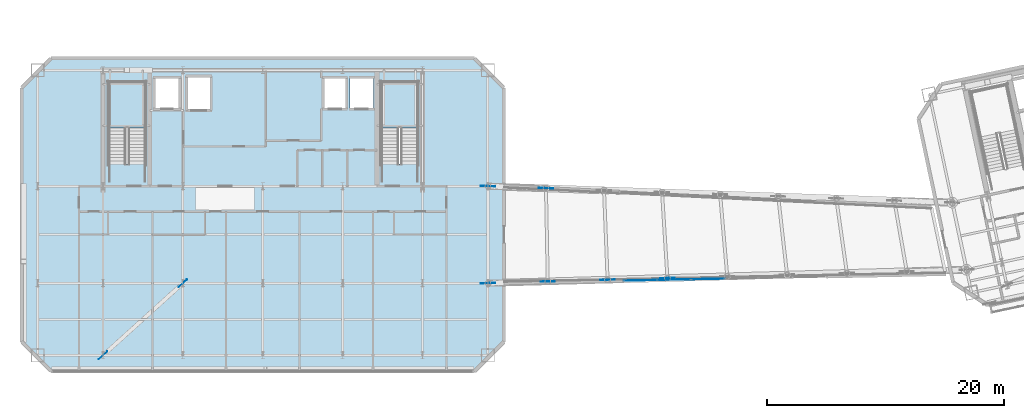
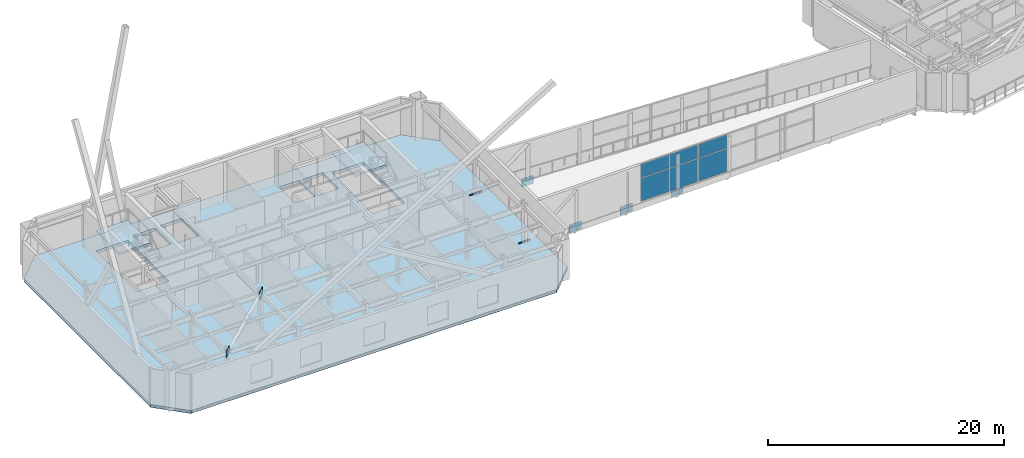
# One storey, part 13 of 23: 14 plates, 3 slabs, 4 elements without a shape of their own.
"""IFC4 building model written with IfcOpenShell, lengths in metres."""

from ifc_helpers import new_model, si_unit, direction, frame, origin, origin_2d, place, context, subcontext, project, spatial, polyline, rectangle, outline, extrude, material, layer, layer_set, type_object, element, aggregate, save


model = new_model("IFC4")

# Units and contexts
model_context = context("Model", 3, precision=1e-05, world=origin(), true_north=direction((0.0, 1.0)))
body_context = subcontext(model_context, "Body", "Model", "MODEL_VIEW")
ifc_project = project(units=[si_unit("LENGTHUNIT", "METRE"), si_unit("AREAUNIT", "SQUARE_METRE"), si_unit("VOLUMEUNIT", "CUBIC_METRE"), si_unit("PLANEANGLEUNIT", "RADIAN"), si_unit("MASSUNIT", "GRAM", prefix="KILO")], contexts=[model_context])

# Site, building, storey
site_placement = place(None, origin())
site = spatial("IfcSite", under=ifc_project, at=site_placement, CompositionType="ELEMENT")
building_placement = place(site_placement, origin())
building = spatial("IfcBuilding", under=site, at=building_placement, Name="Haevon Station Towers", CompositionType="ELEMENT")
storey_placement = place(building_placement, frame((0.0, 0.0, 197.10009765625)))
storey = spatial("IfcBuildingStorey", under=building, at=storey_placement, Name="L54", CompositionType="ELEMENT", Elevation=197.10009765625)

# Curtain wall, plates
ifc_material_1 = material(Name="Anodised aluminium and Low-E double glazing", Category="aluminium")
ifc_layer_1 = layer(ifc_material_1, 0.179931640625)
ifc_layer_set_1 = layer_set([ifc_layer_1], Name="Anodised aluminium and Low-E double glazing")
curtain_wall_type = type_object("IfcCurtainWallType", Name="CW-SYS6", PredefinedType="NOTDEFINED", material=ifc_layer_set_1)
curtain_wall_1_placement = place(storey_placement, origin())
curtain_wall_1 = element("IfcCurtainWall", 1, at=curtain_wall_1_placement, inside=storey, type_object=curtain_wall_type, Name="L54 Curtain Wall CW-SKP-L54-S1", PredefinedType="NOTDEFINED")
ifc_material_2 = material(Name="Laminated acoustic double glazing", Category="glass")
ifc_layer_2 = layer(ifc_material_2, 0.031982421875)
ifc_layer_set_2 = layer_set([ifc_layer_2], Name="Laminated acoustic double glazing")
plate_type_1 = type_object("IfcPlateType", Name="CWP-GLZ32", PredefinedType="CURTAIN_PANEL", material=ifc_layer_set_2)
plate_1_placement = place(storey_placement, frame((69.406494140625, 30.23486328125, 0.06494140625), z_axis=(0.0, 0.0, 1.0), x_axis=(0.99979243858, 0.020373506303, 0.0)))
plate_1 = element("IfcPlate", 2, at=plate_1_placement, type_object=plate_type_1, Name="CW-SYS6 panel 1.1", PredefinedType="CURTAIN_PANEL", context=body_context, shape_type="SweptSolid", body=[
    extrude(rectangle(XDim=2.77294921875, YDim=0.031982421875, at=origin_2d()), origin(), (0.0, 0.0, 1.0), 2.3515625),
])
plate_2_placement = place(storey_placement, frame((69.406494140625, 30.23486328125, 2.4814453125), z_axis=(0.0, 0.0, 1.0), x_axis=(0.99979243858, 0.020373506303, 0.0)))
plate_2 = element("IfcPlate", 3, at=plate_2_placement, type_object=plate_type_1, Name="CW-SYS6 panel 1.2", PredefinedType="CURTAIN_PANEL", context=body_context, shape_type="SweptSolid", body=[
    extrude(rectangle(XDim=2.77294921875, YDim=0.031982421875, at=origin_2d()), origin(), (0.0, 0.0, 1.0), 1.403564453125),
])
plate_3_placement = place(storey_placement, frame((72.23876953125, 30.29248046875, 0.06494140625), z_axis=(0.0, 0.0, 1.0), x_axis=(0.99979243858, 0.020373506303, 0.0)))
plate_3 = element("IfcPlate", 4, at=plate_3_placement, type_object=plate_type_1, Name="CW-SYS6 panel 2.1", PredefinedType="CURTAIN_PANEL", context=body_context, shape_type="SweptSolid", body=[
    extrude(rectangle(XDim=2.77294921875, YDim=0.031982421875, at=origin_2d()), origin(), (0.0, 0.0, 1.0), 2.3515625),
])
plate_4_placement = place(storey_placement, frame((72.23876953125, 30.29248046875, 2.4814453125), z_axis=(0.0, 0.0, 1.0), x_axis=(0.99979243858, 0.020373506303, 0.0)))
plate_4 = element("IfcPlate", 5, at=plate_4_placement, type_object=plate_type_1, Name="CW-SYS6 panel 2.2", PredefinedType="CURTAIN_PANEL", context=body_context, shape_type="SweptSolid", body=[
    extrude(rectangle(XDim=2.77294921875, YDim=0.031982421875, at=origin_2d()), origin(), (0.0, 0.0, 1.0), 1.403564453125),
])
aggregate(curtain_wall_1, [plate_1, plate_2, plate_3, plate_4])

curtain_wall_2_placement = place(storey_placement, origin())
curtain_wall_2 = element("IfcCurtainWall", 6, at=curtain_wall_2_placement, inside=storey, type_object=curtain_wall_type, Name="L54 Curtain Wall CW-SKP-L54-S2", PredefinedType="NOTDEFINED")
plate_5_placement = place(storey_placement, frame((75.130859375, 30.3515625, 0.06494140625), z_axis=(0.0, 0.0, 1.0), x_axis=(0.999792442137, 0.020373331736, 0.0)))
plate_5 = element("IfcPlate", 7, at=plate_5_placement, type_object=plate_type_1, Name="CW-SYS6 panel 1.1", PredefinedType="CURTAIN_PANEL", context=body_context, shape_type="SweptSolid", body=[
    extrude(rectangle(XDim=2.77294921875, YDim=0.031982421875, at=origin_2d()), origin(), (0.0, 0.0, 1.0), 2.3515625),
])
plate_6_placement = place(storey_placement, frame((75.130859375, 30.3515625, 2.4814453125), z_axis=(0.0, 0.0, 1.0), x_axis=(0.999792442137, 0.020373331736, 0.0)))
plate_6 = element("IfcPlate", 8, at=plate_6_placement, type_object=plate_type_1, Name="CW-SYS6 panel 1.2", PredefinedType="CURTAIN_PANEL", context=body_context, shape_type="SweptSolid", body=[
    extrude(rectangle(XDim=2.77294921875, YDim=0.031982421875, at=origin_2d()), origin(), (0.0, 0.0, 1.0), 1.403564453125),
])
aggregate(curtain_wall_2, [plate_5, plate_6])

# Plates
ifc_material_3 = material(Name="PL-FLG2", Category="steel")
ifc_layer_3 = layer(ifc_material_3, 0.035888671875)
ifc_layer_set_3 = layer_set([ifc_layer_3], Name="PL-FLG2")
plate_type_2 = type_object("IfcPlateType", Name="PL-FLG2", PredefinedType="USERDEFINED", material=ifc_layer_set_3)
for number, where, z_axis, x_axis, name in (
    (9, (24.0, 23.89990234375, 3.39013671875), (0.0, 0.0, 1.0), (0.741926694144, 0.670481006827, 0.0), "PL-T1TIE-L54-E1"),
    (10, (30.75, 30.0, 3.39013671875), (0.0, 0.0, 1.0), (0.741926694144, 0.670481006827, 0.0), "PL-T1TIE-L54-E2"),
):
    element("IfcPlate", number, at=place(storey_placement, frame(where, z_axis=z_axis, x_axis=x_axis)), inside=storey, type_object=plate_type_2, Name=name, ObjectType="FLANGE_PLATE", PredefinedType="USERDEFINED", context=body_context, shape_type="SweptSolid", body=[
        extrude(rectangle(XDim=0.949951171875, YDim=0.035888671875, at=origin_2d()), origin(), (0.0, 0.0, 1.0), 0.699951171875),
    ])
ifc_material_4 = material(Name="PL-GUS2", Category="steel")
ifc_layer_4 = layer(ifc_material_4, 0.031982421875)
ifc_layer_set_4 = layer_set([ifc_layer_4], Name="PL-GUS2")
plate_type_3 = type_object("IfcPlateType", Name="PL-GUS2", PredefinedType="USERDEFINED", material=ifc_layer_set_4)
for number, where, z_axis, x_axis, name in (
    (11, (56.52490234375, 30.0, -0.72509765625), (0.0, 0.0, 1.0), (0.999606549458, 0.028048997857, 0.0), "PL-SKP-NODE-S-1B"),
    (12, (61.581298828125, 30.141845703125, -0.72509765625), (0.0, 0.0, 1.0), (0.999606549458, 0.028048997857, 0.0), "PL-SKP-NODE-S-2B"),
    (13, (66.637451171875, 30.28369140625, -0.72509765625), (0.0, 0.0, 1.0), (0.999606549458, 0.028048997857, 0.0), "PL-SKP-NODE-S-3B"),
    (14, (71.693603515625, 30.425537109375, -0.72509765625), (0.0, 0.0, 1.0), (0.999606549458, 0.028048997857, 0.0), "PL-SKP-NODE-S-4B"),
    (15, (56.52490234375, 38.199951171875, -0.72509765625), (0.0, 0.0, 1.0), (0.999371798296, -0.035440214042, 0.0), "PL-SKP-NODE-N-1B"),
    (16, (61.430419921875, 38.026123046875, -0.72509765625), (0.0, 0.0, 1.0), (0.999371798296, -0.035440214042, 0.0), "PL-SKP-NODE-N-2B"),
):
    element("IfcPlate", number, at=place(storey_placement, frame(where, z_axis=z_axis, x_axis=x_axis)), inside=storey, type_object=plate_type_3, Name=name, ObjectType="GUSSET_PLATE", PredefinedType="USERDEFINED", context=body_context, shape_type="SweptSolid", body=[
        extrude(rectangle(XDim=1.199951171875, YDim=0.031982421875, at=origin_2d()), origin(), (0.0, 0.0, 1.0), 0.85009765625),
    ])

# Stair, slab
ifc_material_5 = material(Name="Concrete C40/50", Category="concrete")
stair_type = type_object("IfcStairType", Name="STR-DL1450", PredefinedType="USERDEFINED", material=ifc_material_5)
stair_1_placement = place(storey_placement, origin())
stair_1 = element("IfcStair", 17, at=stair_1_placement, inside=storey, type_object=stair_type, Name="L54 Escape Stair ST1", ObjectType="TWO_RETURN_STAIR", PredefinedType="USERDEFINED")
ifc_layer_5 = layer(ifc_material_5, 0.199951171875)
ifc_layer_set_5 = layer_set([ifc_layer_5], Name="Concrete C40/50")
slab_type_1 = type_object("IfcSlabType", Name="SL-LND200", PredefinedType="LANDING", material=ifc_layer_set_5)
slab_1_placement = place(storey_placement, frame((0.0, 0.0, 1.89990234375)))
slab_1 = element("IfcSlab", 18, at=slab_1_placement, type_object=slab_type_1, Name="L54 ST1 Half Landing 1", PredefinedType="LANDING", context=body_context, shape_type="SweptSolid", body=[
    extrude(outline(polyline([(27.580078125, 43.1240234375), (27.580078125, 47.0), (24.47998046875, 47.0), (24.47998046875, 43.1240234375), (27.580078125, 43.1240234375)])), origin(), (0.0, 0.0, 1.0), 0.199951171875),
])
aggregate(stair_1, [slab_1])

stair_2_placement = place(storey_placement, origin())
stair_2 = element("IfcStair", 19, at=stair_2_placement, inside=storey, type_object=stair_type, Name="L54 Escape Stair ST2", ObjectType="TWO_RETURN_STAIR", PredefinedType="USERDEFINED")
slab_2_placement = place(storey_placement, frame((0.0, 0.0, 1.89990234375)))
slab_2 = element("IfcSlab", 20, at=slab_2_placement, type_object=slab_type_1, Name="L54 ST2 Half Landing 1", PredefinedType="LANDING", context=body_context, shape_type="SweptSolid", body=[
    extrude(outline(polyline([(50.6201171875, 43.1240234375), (50.6201171875, 47.0), (47.52001953125, 47.0), (47.52001953125, 43.1240234375), (50.6201171875, 43.1240234375)])), origin(), (0.0, 0.0, 1.0), 0.199951171875),
])
aggregate(stair_2, [slab_2])

# Slab
ifc_layer_6 = layer(ifc_material_5, 0.300048828125)
ifc_layer_set_6 = layer_set([ifc_layer_6], Name="Concrete C40/50")
slab_type_2 = type_object("IfcSlabType", Name="SL-POD300", PredefinedType="FLOOR", material=ifc_layer_set_6)
slab_3_placement = place(storey_placement, frame((0.0, 0.0, -0.300048828125)))
element("IfcSlab", 21, at=slab_3_placement, inside=storey, type_object=slab_type_2, Name="SL-T1-L54", PredefinedType="FLOOR", context=body_context, shape_type="SweptSolid", body=[
    extrude(outline(polyline([(19.625, 22.550048828125), (55.375, 22.550048828125), (57.875, 25.050048828125), (57.875, 46.5), (55.375, 49.0), (19.625, 49.0), (17.125, 46.5), (17.125, 25.050048828125), (19.625, 22.550048828125)]), holes=[polyline([(27.580078125, 40.055908203125), (27.580078125, 47.0), (24.47998046875, 47.0), (24.47998046875, 40.055908203125), (27.580078125, 40.055908203125)]), polyline([(50.6201171875, 40.055908203125), (50.6201171875, 47.0), (47.52001953125, 47.0), (47.52001953125, 40.055908203125), (50.6201171875, 40.055908203125)]), polyline([(28.300048828125, 44.699951171875), (30.5, 44.699951171875), (30.5, 47.39990234375), (28.300048828125, 47.39990234375), (28.300048828125, 44.699951171875)]), polyline([(31.050048828125, 44.60009765625), (33.14990234375, 44.60009765625), (33.14990234375, 47.5), (31.050048828125, 47.5), (31.050048828125, 44.60009765625)]), polyline([(42.60009765625, 44.699951171875), (44.60009765625, 44.699951171875), (44.60009765625, 47.39990234375), (42.60009765625, 47.39990234375), (42.60009765625, 44.699951171875)]), polyline([(44.85009765625, 44.699951171875), (46.85009765625, 44.699951171875), (46.85009765625, 47.39990234375), (44.85009765625, 47.39990234375), (44.85009765625, 44.699951171875)])]), origin(), (0.0, 0.0, 1.0), 0.300048828125),
])

save(model, "model.ifc")
